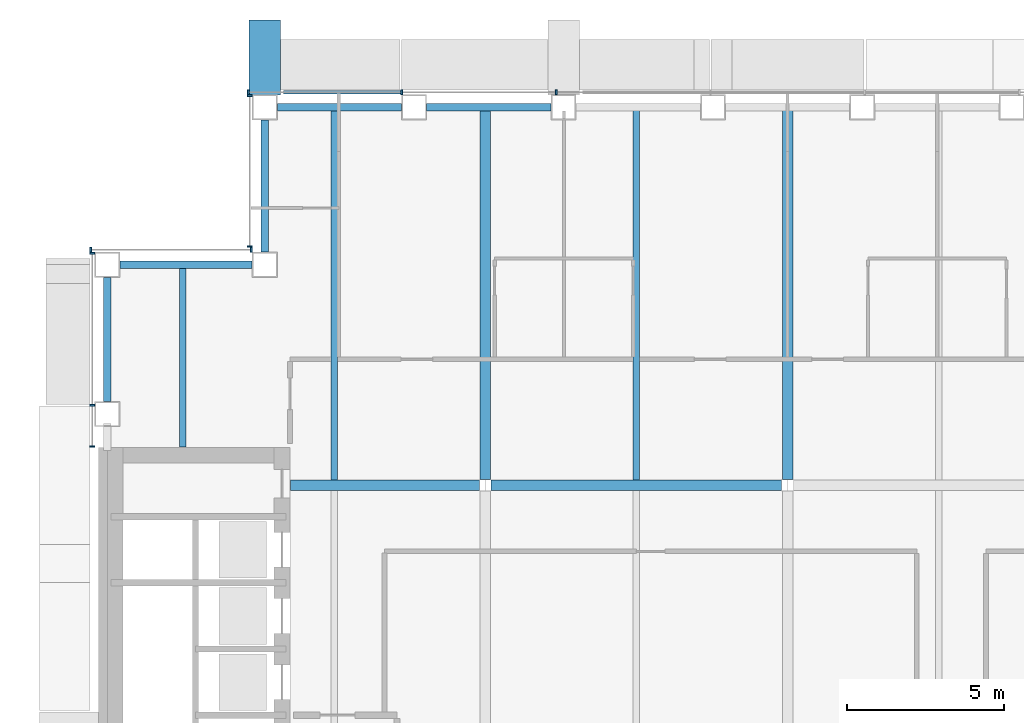
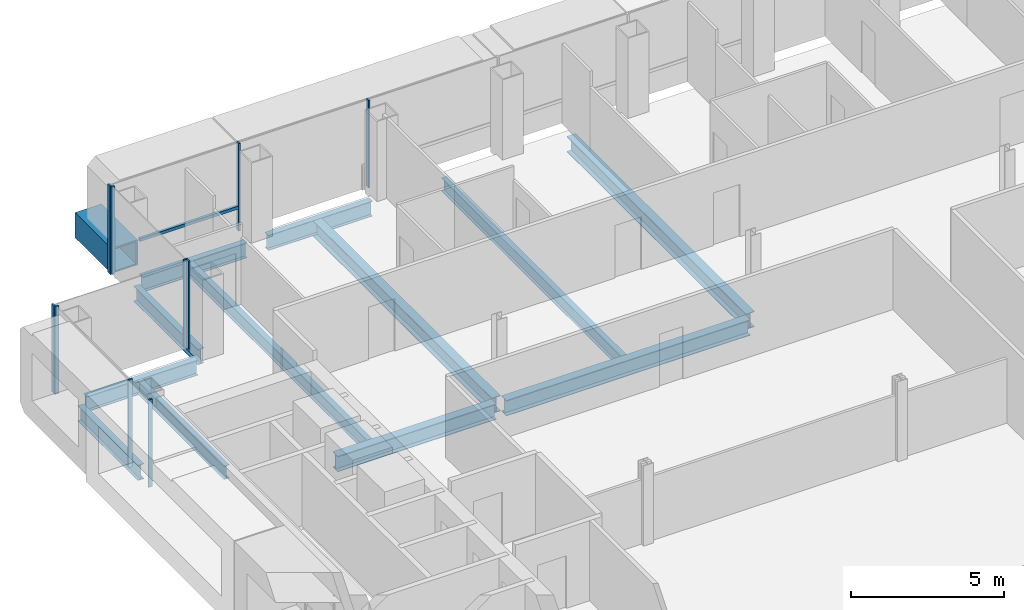
# One storey, part 8 of 21: 13 beams, 11 members, 4 elements without a shape of their own.
"""IFC4 building model written with IfcOpenShell, lengths in metres."""

from ifc_helpers import new_model, si_unit, direction, frame, origin, origin_2d, place, context, subcontext, project, spatial, rectangle, hollow_rectangle, i_section, extrude, material, material_profile, profile_set, type_object, element, aggregate, save


model = new_model("IFC4")

# Units and contexts
model_context = context("Model", 3, precision=1e-05, world=origin(), true_north=direction((0.0, 1.0)))
body_context = subcontext(model_context, "Body", "Model", "MODEL_VIEW")
ifc_project = project(units=[si_unit("LENGTHUNIT", "METRE"), si_unit("AREAUNIT", "SQUARE_METRE"), si_unit("VOLUMEUNIT", "CUBIC_METRE"), si_unit("PLANEANGLEUNIT", "RADIAN"), si_unit("MASSUNIT", "GRAM", prefix="KILO")], contexts=[model_context])

# Site, building, storey
site_placement = place(None, origin())
site = spatial("IfcSite", under=ifc_project, at=site_placement, CompositionType="ELEMENT")
building_placement = place(site_placement, origin())
building = spatial("IfcBuilding", under=site, at=building_placement, Name="Cobrizo Arcos Hotel Tower", CompositionType="ELEMENT")
storey_placement = place(building_placement, frame((0.0, 0.0, 183.0)))
storey = spatial("IfcBuildingStorey", under=building, at=storey_placement, Name="L47", CompositionType="ELEMENT", Elevation=183.0)

# Beam
ifc_material_1 = material(Name="Steel ASTM A572 Grade 50", Category="steel")
ifc_material_profile_1 = material_profile(ifc_material_1, hollow_rectangle(XDim=1.0, YDim=1.0, WallThickness=0.06005859375, at=origin_2d()), Name="BOX 1000X1000X60")
ifc_profile_set_1 = profile_set([ifc_material_profile_1], Name="Steel ASTM A572 Grade 50")
beam_type_1 = type_object("IfcBeamType", Name="BOX 1000X1000X60 brace connector strut", PredefinedType="BEAM", material=ifc_profile_set_1)
beam_1_placement = place(storey_placement, frame((-16.60009765625, 21.989990234375, 0.5), z_axis=(0.0, 1.0, 0.0), x_axis=(-1.0, 0.0, 0.0)))
element("IfcBeam", 1, at=beam_1_placement, inside=storey, type_object=beam_type_1, Name="Perimeter brace stub BS1, zone Z3, north face, offset -16.60 m, L47", PredefinedType="BEAM", context=body_context, shape_type="SweptSolid", body=[
    extrude(hollow_rectangle(XDim=1.0, YDim=1.0, WallThickness=0.06005859375, at=origin_2d()), origin(), (0.0, 0.0, 1.0), 2.380126953125),
])

# Curtain wall, members
ifc_material_2 = material(Name="Aluminium 6063-T6 anodised bronze", Category="aluminium")
curtain_wall_type = type_object("IfcCurtainWallType", Name="CW-A guest facade", PredefinedType="NOTDEFINED", material=ifc_material_2)
curtain_wall_1_placement = place(storey_placement, origin())
curtain_wall_1 = element("IfcCurtainWall", 2, at=curtain_wall_1_placement, inside=storey, type_object=curtain_wall_type, Name="CW-A L47 N face", PredefinedType="NOTDEFINED")
ifc_material_profile_2 = material_profile(ifc_material_2, rectangle(XDim=0.14990234375, YDim=0.06005859375, at=origin_2d()), Name="CW-A mullion 150x60")
ifc_profile_set_2 = profile_set([ifc_material_profile_2], Name="Aluminium 6063-T6 anodised bronze")
member_type_1 = type_object("IfcMemberType", Name="CW-A mullion 150x60", PredefinedType="MULLION", material=ifc_profile_set_2)
member_1_placement = place(storey_placement, frame((-7.35009765625, 22.074951171875, 0.0), z_axis=(0.0, 0.0, 1.0), x_axis=(0.0, 1.0, 0.0)))
member_1 = element("IfcMember", 3, at=member_1_placement, type_object=member_type_1, Name="CW-A mullion 6", PredefinedType="MULLION", context=body_context, shape_type="SweptSolid", body=[
    extrude(rectangle(XDim=0.14990234375, YDim=0.06005859375, at=origin_2d()), origin(), (0.0, 0.0, 1.0), 3.5),
])
member_2_placement = place(storey_placement, frame((-12.25, 22.074951171875, 0.0), z_axis=(0.0, 0.0, 1.0), x_axis=(0.0, 1.0, 0.0)))
member_2 = element("IfcMember", 4, at=member_2_placement, type_object=member_type_1, Name="CW-A mullion 7", PredefinedType="MULLION", context=body_context, shape_type="SweptSolid", body=[
    extrude(rectangle(XDim=0.14990234375, YDim=0.06005859375, at=origin_2d()), origin(), (0.0, 0.0, 1.0), 3.5),
])
member_3_placement = place(storey_placement, frame((-17.1201171875, 22.074951171875, 0.0), z_axis=(0.0, 0.0, 1.0), x_axis=(0.0, 1.0, 0.0)))
member_3 = element("IfcMember", 5, at=member_3_placement, type_object=member_type_1, Name="CW-A mullion 8", PredefinedType="MULLION", context=body_context, shape_type="SweptSolid", body=[
    extrude(rectangle(XDim=0.14990234375, YDim=0.06005859375, at=origin_2d()), origin(), (0.0, 0.0, 1.0), 3.5),
])

curtain_wall_2_placement = place(storey_placement, origin())
curtain_wall_2 = element("IfcCurtainWall", 6, at=curtain_wall_2_placement, inside=storey, type_object=curtain_wall_type, Name="CW-A L47 W face", PredefinedType="NOTDEFINED")
member_4_placement = place(storey_placement, frame((-17.074951171875, 21.969970703125, 0.0), z_axis=(0.0, 0.0, 1.0), x_axis=(-1.0, 0.0, 0.0)))
member_4 = element("IfcMember", 7, at=member_4_placement, type_object=member_type_1, Name="CW-A mullion 1", PredefinedType="MULLION", context=body_context, shape_type="SweptSolid", body=[
    extrude(rectangle(XDim=0.14990234375, YDim=0.06005859375, at=origin_2d()), origin(), (0.0, 0.0, 1.0), 3.5),
])
member_5_placement = place(storey_placement, frame((-17.074951171875, 17.179931640625, 0.0), z_axis=(0.0, 0.0, 1.0), x_axis=(-1.0, 0.0, 0.0)))
member_5 = element("IfcMember", 8, at=member_5_placement, type_object=member_type_1, Name="CW-A mullion 2", PredefinedType="MULLION", context=body_context, shape_type="SweptSolid", body=[
    extrude(rectangle(XDim=0.14990234375, YDim=0.06005859375, at=origin_2d()), origin(), (0.0, 0.0, 1.0), 3.5),
])
aggregate(curtain_wall_2, [member_4, member_5])

curtain_wall_3_placement = place(storey_placement, origin())
curtain_wall_3 = element("IfcCurtainWall", 9, at=curtain_wall_3_placement, inside=storey, type_object=curtain_wall_type, Name="CW-A L47 N face", PredefinedType="NOTDEFINED")
member_6_placement = place(storey_placement, frame((-17.030029296875, 17.074951171875, 0.0), z_axis=(0.0, 0.0, 1.0), x_axis=(0.0, 1.0, 0.0)))
member_6 = element("IfcMember", 10, at=member_6_placement, type_object=member_type_1, Name="CW-A mullion 1", PredefinedType="MULLION", context=body_context, shape_type="SweptSolid", body=[
    extrude(rectangle(XDim=0.14990234375, YDim=0.06005859375, at=origin_2d()), origin(), (0.0, 0.0, 1.0), 3.5),
])
member_7_placement = place(storey_placement, frame((-22.1201171875, 17.074951171875, 0.0), z_axis=(0.0, 0.0, 1.0), x_axis=(0.0, 1.0, 0.0)))
member_7 = element("IfcMember", 11, at=member_7_placement, type_object=member_type_1, Name="CW-A mullion 2", PredefinedType="MULLION", context=body_context, shape_type="SweptSolid", body=[
    extrude(rectangle(XDim=0.14990234375, YDim=0.06005859375, at=origin_2d()), origin(), (0.0, 0.0, 1.0), 3.5),
])
aggregate(curtain_wall_3, [member_6, member_7])

curtain_wall_4_placement = place(storey_placement, origin())
curtain_wall_4 = element("IfcCurtainWall", 12, at=curtain_wall_4_placement, inside=storey, type_object=curtain_wall_type, Name="CW-A L47 W face", PredefinedType="NOTDEFINED")
member_8_placement = place(storey_placement, frame((-22.074951171875, 16.969970703125, 0.0), z_axis=(0.0, 0.0, 1.0), x_axis=(-1.0, 0.0, 0.0)))
member_8 = element("IfcMember", 13, at=member_8_placement, type_object=member_type_1, Name="CW-A mullion 1", PredefinedType="MULLION", context=body_context, shape_type="SweptSolid", body=[
    extrude(rectangle(XDim=0.14990234375, YDim=0.06005859375, at=origin_2d()), origin(), (0.0, 0.0, 1.0), 3.5),
])
member_9_placement = place(storey_placement, frame((-22.074951171875, 12.142822265625, 0.0), z_axis=(0.0, 0.0, 1.0), x_axis=(-1.0, 0.0, 0.0)))
member_9 = element("IfcMember", 14, at=member_9_placement, type_object=member_type_1, Name="CW-A mullion 2", PredefinedType="MULLION", context=body_context, shape_type="SweptSolid", body=[
    extrude(rectangle(XDim=0.14990234375, YDim=0.06005859375, at=origin_2d()), origin(), (0.0, 0.0, 1.0), 3.5),
])
member_10_placement = place(storey_placement, frame((-22.074951171875, 10.830078125, 0.0), z_axis=(0.0, 0.0, 1.0), x_axis=(-1.0, 0.0, 0.0)))
member_10 = element("IfcMember", 15, at=member_10_placement, type_object=member_type_1, Name="CW-A mullion 3", PredefinedType="MULLION", context=body_context, shape_type="SweptSolid", body=[
    extrude(rectangle(XDim=0.14990234375, YDim=0.06005859375, at=origin_2d()), origin(), (0.0, 0.0, 1.0), 3.5),
])
aggregate(curtain_wall_4, [member_8, member_9, member_10])

# Member
ifc_material_profile_3 = material_profile(ifc_material_2, rectangle(XDim=0.10009765625, YDim=0.1201171875, at=origin_2d()), Name="CW-A transom 120x100")
ifc_profile_set_3 = profile_set([ifc_material_profile_3], Name="Aluminium 6063-T6 anodised bronze")
member_type_2 = type_object("IfcMemberType", Name="CW-A transom 120x100", PredefinedType="USERDEFINED", material=ifc_profile_set_3)
member_11_placement = place(storey_placement, frame((-12.280029296875, 22.074951171875, 0.929931640625), z_axis=(-1.0, 0.0, 0.0), x_axis=(0.0, -1.0, 0.0)))
member_11 = element("IfcMember", 16, at=member_11_placement, type_object=member_type_2, Name="CW-A transom 1657", ObjectType="TRANSOM", PredefinedType="USERDEFINED", context=body_context, shape_type="SweptSolid", body=[
    extrude(rectangle(XDim=0.10009765625, YDim=0.1201171875, at=origin_2d()), origin(), (0.0, 0.0, 1.0), 3.719970703125),
])

aggregate(curtain_wall_1, [member_1, member_2, member_3, member_11])

# Beams
ifc_material_3 = material(Name="Steel ASTM A992 Grade 50", Category="steel")
ifc_material_profile_4 = material_profile(ifc_material_3, i_section(OverallWidth=0.209228515625, OverallDepth=0.533447265625, WebThickness=0.01025390625, FlangeThickness=0.015625, at=origin_2d()), Name="W21X62")
ifc_profile_set_4 = profile_set([ifc_material_profile_4], Name="Steel ASTM A992 Grade 50")
beam_type_2 = type_object("IfcBeamType", Name="W21X62 joist", PredefinedType="JOIST", material=ifc_profile_set_4)
beam_2_placement = place(storey_placement, frame((-19.199951171875, 10.81005859375, -0.416748046875), z_axis=(0.0, 1.0, 0.0), x_axis=(-1.0, 0.0, 0.0)))
element("IfcBeam", 17, at=beam_2_placement, inside=storey, type_object=beam_type_2, Name="Floor joist J1, L47, no. 002", PredefinedType="JOIST", context=body_context, shape_type="SweptSolid", body=[
    extrude(i_section(OverallWidth=0.209228515625, OverallDepth=0.533447265625, WebThickness=0.01025390625, FlangeThickness=0.015625, at=origin_2d()), origin(), (0.0, 0.0, 1.0), 5.699951171875),
])
for number, where, z_axis, x_axis, name in (
    (18, (-14.39990234375, 9.763916015625, -0.416748046875), (0.0, 1.0, 0.0), (-1.0, 0.0, 0.0), "Floor joist J1, L47, no. 006"),
    (19, (-4.800048828125, 9.763916015625, -0.416748046875), (0.0, 1.0, 0.0), (-1.0, 0.0, 0.0), "Floor joist J1, L47, no. 010"),
):
    element("IfcBeam", number, at=place(storey_placement, frame(where, z_axis=z_axis, x_axis=x_axis)), inside=storey, type_object=beam_type_2, Name=name, PredefinedType="JOIST", context=body_context, shape_type="SweptSolid", body=[
        extrude(i_section(OverallWidth=0.209228515625, OverallDepth=0.533447265625, WebThickness=0.01025390625, FlangeThickness=0.015625, at=origin_2d()), origin(), (0.0, 0.0, 1.0), 11.74609375),
    ])
ifc_material_profile_5 = material_profile(ifc_material_3, i_section(OverallWidth=0.32763671875, OverallDepth=0.622314453125, WebThickness=0.015380859375, FlangeThickness=0.0244140625, at=origin_2d()), Name="W24X131")
ifc_profile_set_5 = profile_set([ifc_material_profile_5], Name="Steel ASTM A992 Grade 50")
beam_type_3 = type_object("IfcBeamType", Name="W24X131 girder", PredefinedType="BEAM", material=ifc_profile_set_5)
beam_3_placement = place(storey_placement, frame((-15.7900390625, 9.60009765625, -0.461181640625), z_axis=(1.0, 0.0, 0.0), x_axis=(0.0, 1.0, 0.0)))
element("IfcBeam", 20, at=beam_3_placement, inside=storey, type_object=beam_type_3, Name="Floor girder G1, L47, no. 009", PredefinedType="BEAM", context=body_context, shape_type="SweptSolid", body=[
    extrude(i_section(OverallWidth=0.32763671875, OverallDepth=0.622314453125, WebThickness=0.015380859375, FlangeThickness=0.0244140625, at=origin_2d()), origin(), (0.0, 0.0, 1.0), 6.00341796875),
])
beam_4_placement = place(storey_placement, frame((-9.413330078125, 9.60009765625, -0.461181640625), z_axis=(1.0, 0.0, 0.0), x_axis=(0.0, 1.0, 0.0)))
element("IfcBeam", 21, at=beam_4_placement, inside=storey, type_object=beam_type_3, Name="Floor girder G1, L47, no. 010", PredefinedType="BEAM", context=body_context, shape_type="SweptSolid", body=[
    extrude(i_section(OverallWidth=0.32763671875, OverallDepth=0.622314453125, WebThickness=0.015380859375, FlangeThickness=0.0244140625, at=origin_2d()), origin(), (0.0, 0.0, 1.0), 9.2265625),
])
for number, where, z_axis, x_axis, name in (
    (22, (-9.60009765625, 9.78662109375, -0.461181640625), (0.0, 1.0, 0.0), (-1.0, 0.0, 0.0), "Floor girder G1, L47, no. 016"),
    (23, (0.0, 9.78662109375, -0.461181640625), (0.0, 1.0, 0.0), (-1.0, 0.0, 0.0), "Floor girder G1, L47, no. 020"),
):
    element("IfcBeam", number, at=place(storey_placement, frame(where, z_axis=z_axis, x_axis=x_axis)), inside=storey, type_object=beam_type_3, Name=name, PredefinedType="BEAM", context=body_context, shape_type="SweptSolid", body=[
        extrude(i_section(OverallWidth=0.32763671875, OverallDepth=0.622314453125, WebThickness=0.015380859375, FlangeThickness=0.0244140625, at=origin_2d()), origin(), (0.0, 0.0, 1.0), 11.723388671875),
    ])
ifc_material_profile_6 = material_profile(ifc_material_3, i_section(OverallWidth=0.228271484375, OverallDepth=0.607177734375, WebThickness=0.01123046875, FlangeThickness=0.017333984375, at=origin_2d()), Name="W24X76")
ifc_profile_set_6 = profile_set([ifc_material_profile_6], Name="Steel ASTM A992 Grade 50")
beam_type_4 = type_object("IfcBeamType", Name="W24X76 spandrel", PredefinedType="SPANDREL", material=ifc_profile_set_6)
beam_5_placement = place(storey_placement, frame((-7.513916015625, 21.60009765625, -0.45361328125), z_axis=(-1.0, 0.0, 0.0), x_axis=(0.0, -1.0, 0.0)))
element("IfcBeam", 24, at=beam_5_placement, inside=storey, type_object=beam_type_4, Name="Spandrel beam W24X76, L47, no. 021", PredefinedType="SPANDREL", context=body_context, shape_type="SweptSolid", body=[
    extrude(i_section(OverallWidth=0.228271484375, OverallDepth=0.607177734375, WebThickness=0.01123046875, FlangeThickness=0.017333984375, at=origin_2d()), origin(), (0.0, 0.0, 1.0), 3.943115234375),
])
beam_6_placement = place(storey_placement, frame((-12.257080078125, 21.60009765625, -0.45361328125), z_axis=(-1.0, 0.0, 0.0), x_axis=(0.0, -1.0, 0.0)))
element("IfcBeam", 25, at=beam_6_placement, inside=storey, type_object=beam_type_4, Name="Spandrel beam W24X76, L47, no. 022", PredefinedType="SPANDREL", context=body_context, shape_type="SweptSolid", body=[
    extrude(i_section(OverallWidth=0.228271484375, OverallDepth=0.607177734375, WebThickness=0.01123046875, FlangeThickness=0.017333984375, at=origin_2d()), origin(), (0.0, 0.0, 1.0), 3.94287109375),
])
for number, where, z_axis, x_axis, name in (
    (26, (-16.60009765625, 21.199951171875, -0.45361328125), (0.0, -1.0, 0.0), (1.0, 0.0, 0.0), "Spandrel beam W24X76, L47, no. 023"),
    (27, (-17.0, 16.60009765625, -0.45361328125), (-1.0, 0.0, 0.0), (0.0, -1.0, 0.0), "Spandrel beam W24X76, L47, no. 024"),
):
    element("IfcBeam", number, at=place(storey_placement, frame(where, z_axis=z_axis, x_axis=x_axis)), inside=storey, type_object=beam_type_4, Name=name, PredefinedType="SPANDREL", context=body_context, shape_type="SweptSolid", body=[
        extrude(i_section(OverallWidth=0.228271484375, OverallDepth=0.607177734375, WebThickness=0.01123046875, FlangeThickness=0.017333984375, at=origin_2d()), origin(), (0.0, 0.0, 1.0), 4.199951171875),
    ])
beam_7_placement = place(storey_placement, frame((-21.60009765625, 16.199951171875, -0.45361328125), z_axis=(0.0, -1.0, 0.0), x_axis=(1.0, 0.0, 0.0)))
element("IfcBeam", 28, at=beam_7_placement, inside=storey, type_object=beam_type_4, Name="Spandrel beam W24X76, L47, no. 025", PredefinedType="SPANDREL", context=body_context, shape_type="SweptSolid", body=[
    extrude(i_section(OverallWidth=0.228271484375, OverallDepth=0.607177734375, WebThickness=0.01123046875, FlangeThickness=0.017333984375, at=origin_2d()), origin(), (0.0, 0.0, 1.0), 3.94287109375),
])

save(model, "model.ifc")
